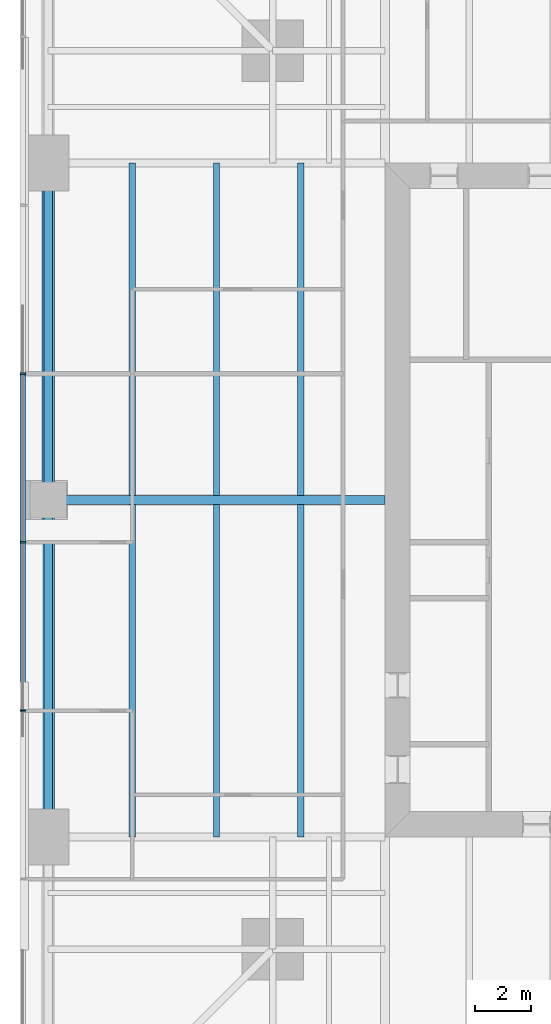
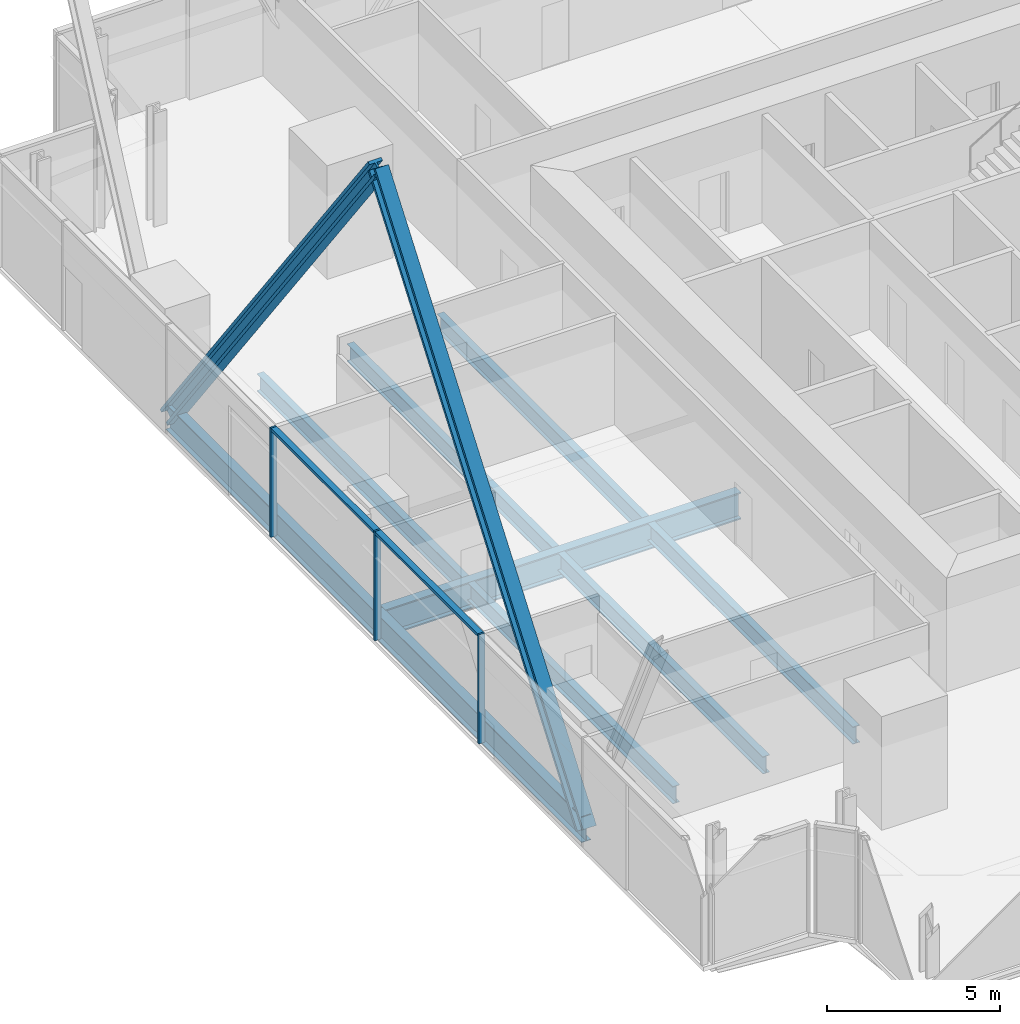
# One storey, part 4 of 14: 9 beams, 7 members, 1 element without a shape of its own.
"""IFC4 building model written with IfcOpenShell, lengths in metres."""

import ifcopenshell
import ifcopenshell.guid

model = None  # the IFC model being written
_history = None  # IfcOwnerHistory: only IFC2X3 demands one
_inside = {}  # id of a spatial element -> (the spatial element, [elements in it])
_under = {}  # id of a project, library or spatial element -> (it, [spatial elements below it])
_declared = {}  # id of a project -> (the project, [libraries it declares])
_typed = {}  # id of a type object -> (the type object, [elements of that type])
_made_of = {}  # id of a material, layer set ... -> (it, [elements and type objects made of it])


def new_model(schema):
    """Start an empty IFC model of exactly this schema.

    Asked for "IFC4X3", IfcOpenShell would pick the latest addendum, in which some entities
    have other attributes; the version numbers below select the first issue.
    IFC2X3 requires an IfcOwnerHistory on every rooted entity: one is made here for all.
    """
    global model, _history
    if schema == "IFC4X3":
        model = ifcopenshell.file(schema_version=(4, 3, 0, 0))
    else:
        model = ifcopenshell.file(schema=schema)
    _inside.clear()
    _under.clear()
    _declared.clear()
    _typed.clear()
    _made_of.clear()
    _history = None
    if model.schema == "IFC2X3":
        org = make("IfcOrganization", Name="unknown")
        user = make(
            "IfcPersonAndOrganization",
            ThePerson=make("IfcPerson", FamilyName="unknown"),
            TheOrganization=org,
        )
        app = make(
            "IfcApplication",
            ApplicationDeveloper=org,
            Version="unknown",
            ApplicationFullName="unknown",
            ApplicationIdentifier="unknown",
        )
        _history = make(
            "IfcOwnerHistory",
            OwningUser=user,
            OwningApplication=app,
            ChangeAction="ADDED",
            CreationDate=0,
        )
    return model


def make(cls, **values):
    """One entity of the class cls with the attributes given. An attribute that is None is left unset."""
    return model.create_entity(
        cls, **{name: value for name, value in values.items() if value is not None}
    )


def rooted(cls, **values):
    """An entity with a GlobalId (a new one), such as an element, a storey or a relation."""
    return make(cls, GlobalId=ifcopenshell.guid.new(), OwnerHistory=_history, **values)


def si_unit(unit_type, name, prefix=None):
    """IfcSIUnit, for example si_unit("LENGTHUNIT", "METRE", prefix="MILLI")."""
    return make("IfcSIUnit", UnitType=unit_type, Prefix=prefix, Name=name)


def assignment(units):
    """IfcUnitAssignment: the units of a project."""
    return None if units is None else make("IfcUnitAssignment", Units=units)


def point(xyz):
    """IfcCartesianPoint."""
    return None if xyz is None else make("IfcCartesianPoint", Coordinates=xyz)


def direction(xyz):
    """IfcDirection."""
    return None if xyz is None else make("IfcDirection", DirectionRatios=xyz)


def frame(location, z_axis=None, x_axis=None):
    """IfcAxis2Placement3D, a coordinate frame: its origin and axes. An axis left out is left unset."""
    return make(
        "IfcAxis2Placement3D",
        Location=point(location),
        Axis=direction(z_axis),
        RefDirection=direction(x_axis),
    )


def frame_2d(location, x_axis=None):
    """IfcAxis2Placement2D, a coordinate frame in the plane: its origin and x axis."""
    return make(
        "IfcAxis2Placement2D", Location=point(location), RefDirection=direction(x_axis)
    )


def origin():
    """The frame at (0, 0, 0) with its axes left unset."""
    return frame((0.0, 0.0, 0.0))


def origin_2d():
    """The frame at (0, 0) in the plane with its x axis left unset."""
    return frame_2d((0.0, 0.0))


def place(relative_to, where):
    """IfcLocalPlacement: puts the frame where relative to a parent placement (None: the world)."""
    return make(
        "IfcLocalPlacement", PlacementRelTo=relative_to, RelativePlacement=where
    )


def context(
    kind, dimensions, precision=None, world=None, true_north=None, identifier=None
):
    """IfcGeometricRepresentationContext, for example the 3D "Model" context."""
    return make(
        "IfcGeometricRepresentationContext",
        ContextIdentifier=identifier,
        ContextType=kind,
        CoordinateSpaceDimension=dimensions,
        Precision=precision,
        WorldCoordinateSystem=world,
        TrueNorth=true_north,
    )


def subcontext(parent, identifier, kind, view, scale=None):
    """IfcGeometricRepresentationSubContext, for example "Body" below "Model"."""
    return make(
        "IfcGeometricRepresentationSubContext",
        ContextIdentifier=identifier,
        ContextType=kind,
        ParentContext=parent,
        TargetScale=scale,
        TargetView=view,
    )


def project(units=None, contexts=None):
    """IfcProject with its units and contexts."""
    return rooted(
        "IfcProject",
        Name="project",
        RepresentationContexts=contexts,
        UnitsInContext=assignment(units),
    )


def spatial(cls, under=None, at=None, **own):
    """A site, building, storey or space (cls), placed at a placement, below another one or the project."""
    s = rooted(cls, ObjectPlacement=at, **own)
    if under is not None:
        _under.setdefault(under.id(), (under, []))[1].append(s)
    return s


def profile(cls, at=None, kind="AREA", **sizes):
    """A parametric profile (cls). Its sizes go by their IFC names, for example OverallWidth=200.0."""
    return make(cls, ProfileType=kind, Position=at, **sizes)


def rectangle(**sizes):
    """IfcRectangleProfileDef."""
    return profile("IfcRectangleProfileDef", **sizes)


def i_section(**sizes):
    """IfcIShapeProfileDef."""
    return profile("IfcIShapeProfileDef", **sizes)


def extrude(swept, where, along, depth):
    """IfcExtrudedAreaSolid: the profile swept, set in the frame where, extruded along a direction by depth."""
    return make(
        "IfcExtrudedAreaSolid",
        SweptArea=swept,
        Position=where,
        ExtrudedDirection=direction(along),
        Depth=depth,
    )


def shape(context_of_items, identifier, shape_type, items):
    """IfcShapeRepresentation: the items that make up one representation, for example the "Body"."""
    return make(
        "IfcShapeRepresentation",
        ContextOfItems=context_of_items,
        RepresentationIdentifier=identifier,
        RepresentationType=shape_type,
        Items=items,
    )


def material(Name=None, Category=None):
    """IfcMaterial."""
    return make("IfcMaterial", Name=Name, Category=Category)


def material_profile(
    of_material, cross_section, Name=None, Category=None, Priority=None
):
    """IfcMaterialProfile: a cross section and its material."""
    return make(
        "IfcMaterialProfile",
        Name=Name,
        Material=of_material,
        Profile=cross_section,
        Priority=Priority,
        Category=Category,
    )


def profile_set(profiles, Name=None, composite=None):
    """IfcMaterialProfileSet."""
    return make(
        "IfcMaterialProfileSet",
        Name=Name,
        MaterialProfiles=profiles,
        CompositeProfile=composite,
    )


def made_of(thing, what):
    """Note that an element or type object is made of a material, layer set ...; save() writes the relation."""
    if what is not None:
        _made_of.setdefault(what.id(), (what, []))[1].append(thing)
    return thing


def type_object(cls, material=None, **own):
    """A type object (cls), such as IfcWallType, which elements share."""
    return made_of(rooted(cls, **own), material)


def element(
    cls,
    number,
    at=None,
    inside=None,
    cuts=None,
    type_object=None,
    material=None,
    context=None,
    identifier="Body",
    shape_type=None,
    held_by="IfcProductDefinitionShape",
    body=None,
    shapes=None,
    **own,
):
    """One element of the class cls, such as IfcWall. Its Tag is "e" and its number.

    at: its placement. inside: the storey or other place that contains it. cuts: it is an
    opening in that element (IfcRelVoidsElement). A single representation is given by context,
    identifier, shape_type and body (its items); several are given by shapes. held_by: the class
    of the entity that holds the representations. save() writes the other relations.
    """
    e = rooted(cls, Tag="e%d" % number, ObjectPlacement=at, **own)
    if body is not None:
        shapes = [shape(context, identifier, shape_type, body)]
    if shapes is not None:
        e.Representation = make(held_by, Representations=shapes)
    if inside is not None:
        _inside.setdefault(inside.id(), (inside, []))[1].append(e)
    if cuts is not None:
        rooted(
            "IfcRelVoidsElement", RelatingBuildingElement=cuts, RelatedOpeningElement=e
        )
    if type_object is not None:
        _typed.setdefault(type_object.id(), (type_object, []))[1].append(e)
    return made_of(e, material)


def aggregate(whole, parts):
    """IfcRelAggregates: a whole, such as a stair, and the parts it consists of."""
    return rooted("IfcRelAggregates", RelatingObject=whole, RelatedObjects=parts)


def save(model, path):
    """Write the relations noted so far, then the file.

    IfcRelAggregates (storeys below a building ...), IfcRelContainedInSpatialStructure (elements
    in a storey), IfcRelDefinesByType, IfcRelAssociatesMaterial and IfcRelDeclares: one each for
    every whole, place, type object, material and project.
    """
    for whole, parts in _under.values():
        aggregate(whole, parts)
    for where, things in _inside.values():
        rooted(
            "IfcRelContainedInSpatialStructure",
            RelatedElements=things,
            RelatingStructure=where,
        )
    for kind, things in _typed.values():
        rooted("IfcRelDefinesByType", RelatedObjects=things, RelatingType=kind)
    for what, things in _made_of.values():
        rooted("IfcRelAssociatesMaterial", RelatedObjects=things, RelatingMaterial=what)
    for by, libraries in _declared.values():
        rooted("IfcRelDeclares", RelatingContext=by, RelatedDefinitions=libraries)
    model.write(path)


model = new_model("IFC4")

# Units and contexts
model_context = context("Model", 3, precision=1e-05, world=origin(), true_north=direction((0.0, 1.0)))
body_context = subcontext(model_context, "Body", "Model", "MODEL_VIEW")
ifc_project = project(units=[si_unit("LENGTHUNIT", "METRE"), si_unit("AREAUNIT", "SQUARE_METRE"), si_unit("VOLUMEUNIT", "CUBIC_METRE"), si_unit("PLANEANGLEUNIT", "RADIAN"), si_unit("MASSUNIT", "GRAM", prefix="KILO")], contexts=[model_context])

# Site, building, storey
site_placement = place(None, origin())
site = spatial("IfcSite", under=ifc_project, at=site_placement, CompositionType="ELEMENT")
building_placement = place(site_placement, origin())
building = spatial("IfcBuilding", under=site, at=building_placement, Name="Fenwick Lantern Interchange", CompositionType="ELEMENT")
storey_placement = place(building_placement, frame((0.0, 0.0, 130.39990234375)))
storey = spatial("IfcBuildingStorey", under=building, at=storey_placement, Name="L30", CompositionType="ELEMENT", Elevation=130.39990234375)

# Beams
ifc_material_1 = material(Name="Steel ASTM A992 Grade 50", Category="steel")
ifc_material_profile_1 = material_profile(ifc_material_1, i_section(OverallWidth=0.3046875, OverallDepth=0.911865234375, WebThickness=0.015869140625, FlangeThickness=0.02392578125, at=origin_2d()), Name="W36X150")
ifc_profile_set_1 = profile_set([ifc_material_profile_1], Name="Steel ASTM A992 Grade 50")
beam_type_1 = type_object("IfcBeamType", Name="EDGE BEAM W36X150", PredefinedType="SPANDREL", material=ifc_profile_set_1)
for number, where, z_axis, x_axis, name in (
    (1, (1.0, 37.0, -0.605712890625), (0.0, -1.0, 0.0), (1.0, 0.0, 0.0), "L30/FR/W/EB2"),
    (2, (1.0, 25.0, -0.605712890625), (0.0, -1.0, 0.0), (1.0, 0.0, 0.0), "L30/FR/W/EB3"),
):
    element("IfcBeam", number, at=place(storey_placement, frame(where, z_axis=z_axis, x_axis=x_axis)), inside=storey, type_object=beam_type_1, Name=name, PredefinedType="SPANDREL", context=body_context, shape_type="SweptSolid", body=[
        extrude(i_section(OverallWidth=0.3046875, OverallDepth=0.911865234375, WebThickness=0.015869140625, FlangeThickness=0.02392578125, at=origin_2d()), origin(), (0.0, 0.0, 1.0), 12.0),
    ])

# Members
ifc_material_profile_2 = material_profile(ifc_material_1, i_section(OverallWidth=0.44189453125, OverallDepth=0.53076171875, WebThickness=0.06591796875, FlangeThickness=0.105712890625, at=origin_2d()), Name="W14X605")
ifc_profile_set_2 = profile_set([ifc_material_profile_2], Name="Steel ASTM A992 Grade 50")
member_type_1 = type_object("IfcMemberType", Name="FACADE BRACE W14X605", PredefinedType="BRACE", material=ifc_profile_set_2)
for number, where, z_axis, x_axis, name in (
    (3, (1.0, 37.0, -0.605712890625), (0.0, -0.6, 0.8), (1.0, 0.0, 0.0), "L30/FB/W/A"),
    (4, (1.0, 13.0, -0.605712890625), (0.0, 0.6, 0.8), (-1.0, 0.0, 0.0), "L30/FB/W/B"),
):
    element("IfcMember", number, at=place(storey_placement, frame(where, z_axis=z_axis, x_axis=x_axis)), inside=storey, type_object=member_type_1, Name=name, PredefinedType="BRACE", context=body_context, shape_type="SweptSolid", body=[
        extrude(i_section(OverallWidth=0.44189453125, OverallDepth=0.53076171875, WebThickness=0.06591796875, FlangeThickness=0.105712890625, at=origin_2d()), origin(), (0.0, 0.0, 1.0), 20.0),
    ])

# Beams
ifc_material_profile_3 = material_profile(ifc_material_1, i_section(OverallWidth=0.22900390625, OverallDepth=0.612060546875, WebThickness=0.011962890625, FlangeThickness=0.01953125, at=origin_2d()), Name="W24X84")
ifc_profile_set_3 = profile_set([ifc_material_profile_3], Name="Steel ASTM A992 Grade 50")
beam_type_2 = type_object("IfcBeamType", Name="FLOOR BEAM W24X84", PredefinedType="BEAM", material=ifc_profile_set_3)
for number, where, z_axis, x_axis, name in (
    (5, (4.0, 37.0, -0.4560546875), (0.0, -1.0, 0.0), (1.0, 0.0, 0.0), "L30/FR/W/B01"),
    (6, (7.0, 37.0, -0.4560546875), (0.0, -1.0, 0.0), (1.0, 0.0, 0.0), "L30/FR/W/B02"),
    (7, (10.0, 37.0, -0.4560546875), (0.0, -1.0, 0.0), (1.0, 0.0, 0.0), "L30/FR/W/B03"),
    (8, (4.0, 24.844970703125, -0.4560546875), (0.0, -1.0, 0.0), (1.0, 0.0, 0.0), "L30/FR/W/B04"),
    (9, (7.0, 24.844970703125, -0.4560546875), (0.0, -1.0, 0.0), (1.0, 0.0, 0.0), "L30/FR/W/B05"),
    (10, (10.0, 24.844970703125, -0.4560546875), (0.0, -1.0, 0.0), (1.0, 0.0, 0.0), "L30/FR/W/B06"),
):
    element("IfcBeam", number, at=place(storey_placement, frame(where, z_axis=z_axis, x_axis=x_axis)), inside=storey, type_object=beam_type_2, Name=name, PredefinedType="BEAM", context=body_context, shape_type="SweptSolid", body=[
        extrude(i_section(OverallWidth=0.22900390625, OverallDepth=0.612060546875, WebThickness=0.011962890625, FlangeThickness=0.01953125, at=origin_2d()), origin(), (0.0, 0.0, 1.0), 11.844970703125),
    ])
ifc_material_profile_4 = material_profile(ifc_material_1, i_section(OverallWidth=0.309814453125, OverallDepth=0.949951171875, WebThickness=0.0244140625, FlangeThickness=0.0439453125, at=origin_2d()), Name="W36X256")
ifc_profile_set_4 = profile_set([ifc_material_profile_4], Name="Steel ASTM A992 Grade 50")
beam_type_3 = type_object("IfcBeamType", Name="MOMENT-CONNECTED GIRDER W36X256", PredefinedType="BEAM", material=ifc_profile_set_4)
beam_placement = place(storey_placement, frame((1.0, 25.0, -0.625), z_axis=(1.0, 0.0, 0.0), x_axis=(0.0, 1.0, 0.0)))
element("IfcBeam", 11, at=beam_placement, inside=storey, type_object=beam_type_3, Name="L30/FR/W/R02", PredefinedType="BEAM", context=body_context, shape_type="SweptSolid", body=[
    extrude(i_section(OverallWidth=0.309814453125, OverallDepth=0.949951171875, WebThickness=0.0244140625, FlangeThickness=0.0439453125, at=origin_2d()), origin(), (0.0, 0.0, 1.0), 12.0),
])

# Curtain wall, members
ifc_material_2 = material(Name="Aluminium curtain wall frame", Category="aluminium")
curtain_wall_type = type_object("IfcCurtainWallType", Name="OFFICE CURTAIN WALL", PredefinedType="USERDEFINED", material=ifc_material_2)
curtain_wall_placement = place(storey_placement, origin())
curtain_wall = element("IfcCurtainWall", 12, at=curtain_wall_placement, inside=storey, type_object=curtain_wall_type, Name="Office curtain wall 13", ObjectType="OFFICE CURTAIN WALL", PredefinedType="USERDEFINED")
ifc_material_3 = material(Name="Aluminium extrusion", Category="aluminium")
ifc_material_profile_5 = material_profile(ifc_material_3, rectangle(XDim=0.199951171875, YDim=0.06494140625, at=origin_2d()), Name="OFFICE CURTAIN WALL MULLION 65 X 200")
ifc_profile_set_5 = profile_set([ifc_material_profile_5], Name="Aluminium extrusion")
member_type_2 = type_object("IfcMemberType", Name="OFFICE CURTAIN WALL MULLION 65 X 200", PredefinedType="MULLION", material=ifc_profile_set_5)
member_1_placement = place(storey_placement, frame((0.10009765625, 29.5, 0.0), z_axis=(0.0, 0.0, 1.0), x_axis=(1.0, 0.0, 0.0)))
member_1 = element("IfcMember", 13, at=member_1_placement, type_object=member_type_2, Name="L30/CW/13/M03", PredefinedType="MULLION", context=body_context, shape_type="SweptSolid", body=[
    extrude(rectangle(XDim=0.199951171875, YDim=0.06494140625, at=origin_2d()), origin(), (0.0, 0.0, 1.0), 3.85009765625),
])
member_2_placement = place(storey_placement, frame((0.10009765625, 23.5, 0.0), z_axis=(0.0, 0.0, 1.0), x_axis=(1.0, 0.0, 0.0)))
member_2 = element("IfcMember", 14, at=member_2_placement, type_object=member_type_2, Name="L30/CW/13/M04", PredefinedType="MULLION", context=body_context, shape_type="SweptSolid", body=[
    extrude(rectangle(XDim=0.199951171875, YDim=0.06494140625, at=origin_2d()), origin(), (0.0, 0.0, 1.0), 3.85009765625),
])
member_3_placement = place(storey_placement, frame((0.10009765625, 17.5, 0.0), z_axis=(0.0, 0.0, 1.0), x_axis=(1.0, 0.0, 0.0)))
member_3 = element("IfcMember", 15, at=member_3_placement, type_object=member_type_2, Name="L30/CW/13/M05", PredefinedType="MULLION", context=body_context, shape_type="SweptSolid", body=[
    extrude(rectangle(XDim=0.199951171875, YDim=0.06494140625, at=origin_2d()), origin(), (0.0, 0.0, 1.0), 3.85009765625),
])
ifc_material_profile_6 = material_profile(ifc_material_3, rectangle(XDim=0.199951171875, YDim=0.10009765625, at=origin_2d()), Name="OFFICE CURTAIN WALL TRANSOM 100 X 200")
ifc_profile_set_6 = profile_set([ifc_material_profile_6], Name="Aluminium extrusion")
member_type_3 = type_object("IfcMemberType", Name="OFFICE CURTAIN WALL TRANSOM 100 X 200", PredefinedType="MULLION", material=ifc_profile_set_6)
member_4_placement = place(storey_placement, frame((0.10009765625, 29.467529296875, 3.800048828125), z_axis=(0.0, -1.0, 0.0), x_axis=(1.0, 0.0, 0.0)))
member_4 = element("IfcMember", 16, at=member_4_placement, type_object=member_type_3, Name="L30/CW/13/T03", PredefinedType="MULLION", context=body_context, shape_type="SweptSolid", body=[
    extrude(rectangle(XDim=0.199951171875, YDim=0.10009765625, at=origin_2d()), origin(), (0.0, 0.0, 1.0), 5.93505859375),
])
member_5_placement = place(storey_placement, frame((0.10009765625, 23.467529296875, 3.800048828125), z_axis=(0.0, -1.0, 0.0), x_axis=(1.0, 0.0, 0.0)))
member_5 = element("IfcMember", 17, at=member_5_placement, type_object=member_type_3, Name="L30/CW/13/T04", PredefinedType="MULLION", context=body_context, shape_type="SweptSolid", body=[
    extrude(rectangle(XDim=0.199951171875, YDim=0.10009765625, at=origin_2d()), origin(), (0.0, 0.0, 1.0), 5.93505859375),
])
aggregate(curtain_wall, [member_1, member_2, member_3, member_4, member_5])

save(model, "model.ifc")
